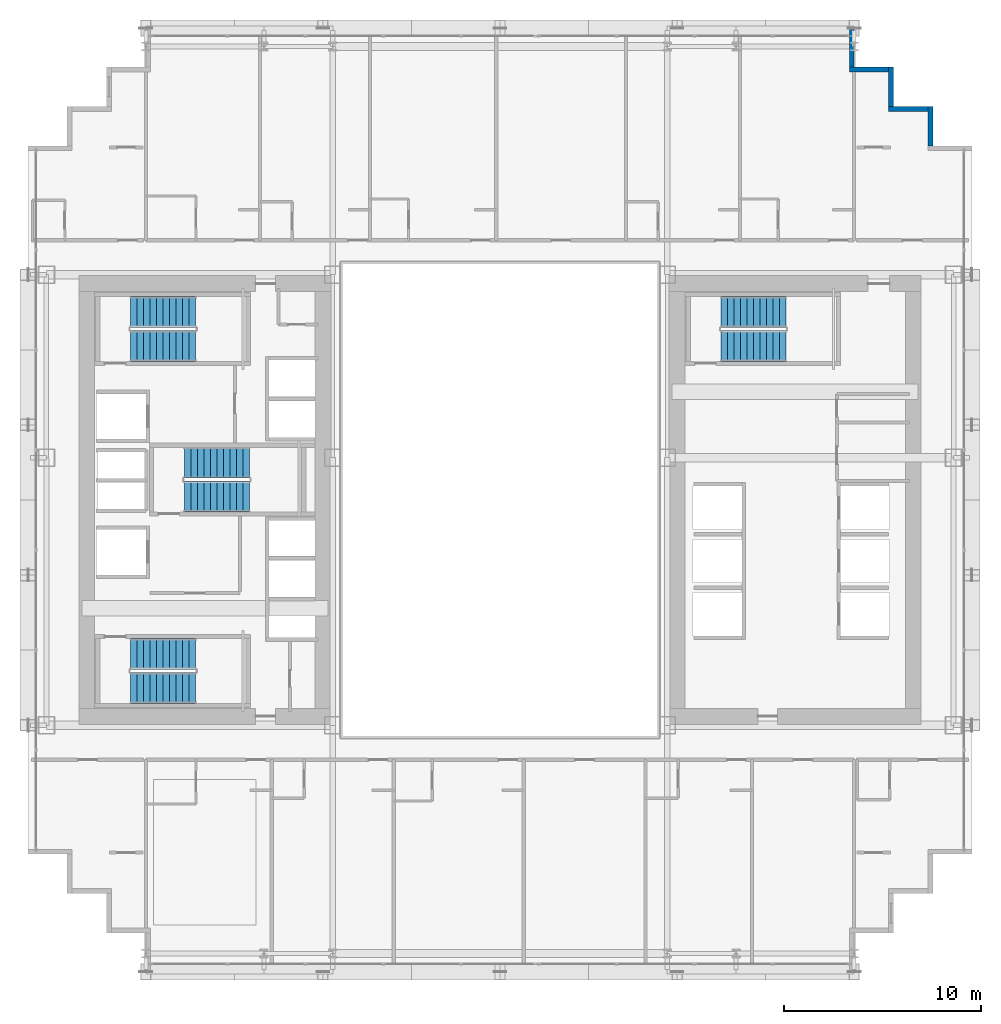
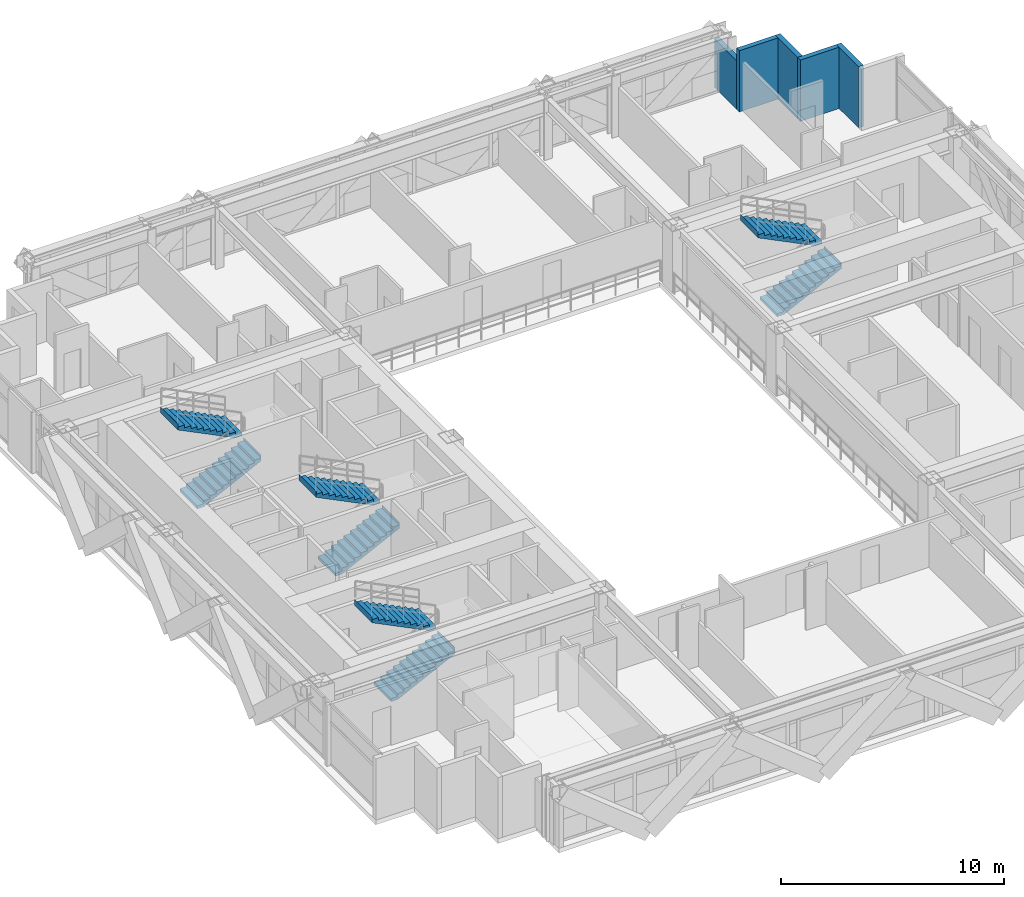
# One storey, part 34 of 38: 8 stair flights, 5 walls, 4 elements without a shape of their own.
"""IFC4 building model written with IfcOpenShell, lengths in metres."""

from ifc_helpers import new_model, si_unit, direction, frame, frame_2d, origin, place, context, subcontext, project, spatial, polyline, rectangle, outline, extrude, source, transform, mapped, material, layer, layer_set, type_object, element, aggregate, save


model = new_model("IFC4")

# Units and contexts
model_context = context("Model", 3, precision=1e-05, world=origin(), true_north=direction((0.0, 1.0)))
body_context = subcontext(model_context, "Body", "Model", "MODEL_VIEW")
ifc_project = project(units=[si_unit("LENGTHUNIT", "METRE"), si_unit("AREAUNIT", "SQUARE_METRE"), si_unit("VOLUMEUNIT", "CUBIC_METRE"), si_unit("PLANEANGLEUNIT", "RADIAN"), si_unit("MASSUNIT", "GRAM", prefix="KILO")], contexts=[model_context])

# Site, building, storey
site_placement = place(None, origin())
site = spatial("IfcSite", under=ifc_project, at=site_placement, CompositionType="ELEMENT")
building_placement = place(site_placement, origin())
building = spatial("IfcBuilding", under=site, at=building_placement, Name="Ocotamira Hotel", CompositionType="ELEMENT")
storey_placement = place(building_placement, frame((0.0, 0.0, 45.60009765625)))
storey = spatial("IfcBuildingStorey", under=building, at=storey_placement, Name="L10", CompositionType="ELEMENT", Elevation=45.60009765625)

# Walls
ifc_material_1 = material(Name="Precast concrete C45/55", Category="concrete")
ifc_layer = layer(ifc_material_1, 0.25)
ifc_layer_set = layer_set([ifc_layer], Name="Precast concrete C45/55")
wall_type = type_object("IfcWallType", Name="WL-EXT-SER-250", PredefinedType="SOLIDWALL", material=ifc_layer_set)
for number, where, z_axis, x_axis, name in (
    (1, (53.875, 44.0, 0.0), (0.0, 0.0, 1.0), (0.0, 1.0, 0.0), "L10 Serrated Corner Wall 08"),
    (2, (53.75, 45.875, 0.0), (0.0, 0.0, 1.0), (-1.0, 0.0, 0.0), "L10 Serrated Corner Wall 09"),
    (3, (51.875, 46.0, 0.0), (0.0, 0.0, 1.0), (0.0, 1.0, 0.0), "L10 Serrated Corner Wall 10"),
    (4, (51.75, 47.875, 0.0), (0.0, 0.0, 1.0), (-1.0, 0.0, 0.0), "L10 Serrated Corner Wall 11"),
):
    element("IfcWall", number, at=place(storey_placement, frame(where, z_axis=z_axis, x_axis=x_axis)), inside=storey, type_object=wall_type, Name=name, PredefinedType="SOLIDWALL", context=body_context, shape_type="SweptSolid", body=[
        extrude(rectangle(XDim=2.0, YDim=0.25, at=frame_2d((1.0, 0.0))), origin(), (0.0, 0.0, 1.0), 3.349853515625),
    ])
wall_placement = place(storey_placement, frame((49.875, 48.0, 0.0), z_axis=(0.0, 0.0, 1.0), x_axis=(0.0, 1.0, 0.0)))
element("IfcWall", 5, at=wall_placement, inside=storey, type_object=wall_type, Name="L10 Serrated Corner Wall 12", PredefinedType="SOLIDWALL", context=body_context, shape_type="SweptSolid", body=[
    extrude(rectangle(XDim=2.0, YDim=0.25, at=frame_2d((1.0, 0.0))), origin(), (0.0, 0.0, 1.0), 2.656982421875),
])

# Stair, stair flights
ifc_material_2 = material(Name="Concrete C40/50", Category="concrete")
stair_type = type_object("IfcStairType", Name="ST-CORE-1560", PredefinedType="HALF_TURN_STAIR", material=ifc_material_2)
stair_1_placement = place(storey_placement, origin())
stair_1 = element("IfcStair", 6, at=stair_1_placement, inside=storey, type_object=stair_type, Name="L10 Exit Stair ST-1", PredefinedType="HALF_TURN_STAIR")
stair_flight_type = type_object("IfcStairFlightType", Name="STF-CORE-1560", PredefinedType="STRAIGHT", material=ifc_material_2)
shared_shape = source(origin(), body_context, "Body", "SweptSolid", [
    extrude(outline(polyline([(-0.00390625, 0.0), (-0.00390625, 0.16357421875), (0.330078125, 0.16357421875), (0.330078125, 0.327392578125), (0.659912109375, 0.327392578125), (0.659912109375, 0.490966796875), (0.989990234375, 0.490966796875), (0.989990234375, 0.654541015625), (1.320068359375, 0.654541015625), (1.320068359375, 0.818115234375), (1.64990234375, 0.818115234375), (1.64990234375, 0.98193359375), (1.97998046875, 0.98193359375), (1.97998046875, 1.1455078125), (2.31005859375, 1.1455078125), (2.31005859375, 1.30908203125), (2.639892578125, 1.30908203125), (2.639892578125, 1.47265625), (2.969970703125, 1.47265625), (2.969970703125, 1.636474609375), (3.300048828125, 1.636474609375), (3.300048828125, 1.800048828125), (3.303955078125, 1.800048828125), (3.303955078125, 1.468994140625), (0.33740234375, 0.0), (-0.00390625, 0.0)])), frame((0.0, 0.780029296875, 0.0), z_axis=(0.0, -1.0, 0.0), x_axis=(1.0, 0.0, 0.0)), (0.0, 0.0, 1.0), 1.56005859375),
])
stair_flight_1_placement = place(storey_placement, frame((13.22998046875, 16.449951171875, 0.0), z_axis=(0.0, 0.0, 1.0), x_axis=(1.0, 0.0, 0.0)))
stair_flight_1 = element("IfcStairFlight", 7, at=stair_flight_1_placement, type_object=stair_flight_type, Name="ST-1 flight 1", NumberOfRisers=11, NumberOfTreads=10, PredefinedType="STRAIGHT", RiserHeight=0.163636364, TreadLength=0.33, context=body_context, shape_type="MappedRepresentation", body=[
    mapped(shared_shape, transform((0.0, 0.0, 0.0), scale=1.0)),
])
stair_flight_2_placement = place(storey_placement, frame((16.530029296875, 18.169921875, 1.7998046875), z_axis=(0.0, 0.0, 1.0), x_axis=(-1.0, 0.0, 0.0)))
stair_flight_2 = element("IfcStairFlight", 8, at=stair_flight_2_placement, type_object=stair_flight_type, Name="ST-1 flight 2", NumberOfRisers=11, NumberOfTreads=10, PredefinedType="STRAIGHT", RiserHeight=0.163636364, TreadLength=0.33, context=body_context, shape_type="MappedRepresentation", body=[
    mapped(shared_shape, transform((0.0, 0.0, 0.0), scale=1.0)),
])
aggregate(stair_1, [stair_flight_1, stair_flight_2])

stair_2_placement = place(storey_placement, origin())
stair_2 = element("IfcStair", 9, at=stair_2_placement, inside=storey, type_object=stair_type, Name="L10 Exit Stair ST-2", PredefinedType="HALF_TURN_STAIR")
stair_flight_3_placement = place(storey_placement, frame((13.22998046875, 33.830078125, 0.0), z_axis=(0.0, 0.0, 1.0), x_axis=(1.0, 0.0, 0.0)))
stair_flight_3 = element("IfcStairFlight", 10, at=stair_flight_3_placement, type_object=stair_flight_type, Name="ST-2 flight 1", NumberOfRisers=11, NumberOfTreads=10, PredefinedType="STRAIGHT", RiserHeight=0.163636364, TreadLength=0.33, context=body_context, shape_type="MappedRepresentation", body=[
    mapped(shared_shape, transform((0.0, 0.0, 0.0), scale=1.0)),
])
stair_flight_4_placement = place(storey_placement, frame((16.530029296875, 35.550048828125, 1.7998046875), z_axis=(0.0, 0.0, 1.0), x_axis=(-1.0, 0.0, 0.0)))
stair_flight_4 = element("IfcStairFlight", 11, at=stair_flight_4_placement, type_object=stair_flight_type, Name="ST-2 flight 2", NumberOfRisers=11, NumberOfTreads=10, PredefinedType="STRAIGHT", RiserHeight=0.163636364, TreadLength=0.33, context=body_context, shape_type="MappedRepresentation", body=[
    mapped(shared_shape, transform((0.0, 0.0, 0.0), scale=1.0)),
])
aggregate(stair_2, [stair_flight_3, stair_flight_4])

stair_3_placement = place(storey_placement, origin())
stair_3 = element("IfcStair", 12, at=stair_3_placement, inside=storey, type_object=stair_type, Name="L10 Exit Stair ST-3", PredefinedType="HALF_TURN_STAIR")
stair_flight_5_placement = place(storey_placement, frame((15.9599609375, 26.179931640625, 0.0), z_axis=(0.0, 0.0, 1.0), x_axis=(1.0, 0.0, 0.0)))
stair_flight_5 = element("IfcStairFlight", 13, at=stair_flight_5_placement, type_object=stair_flight_type, Name="ST-3 flight 1", NumberOfRisers=11, NumberOfTreads=10, PredefinedType="STRAIGHT", RiserHeight=0.163636364, TreadLength=0.33, context=body_context, shape_type="MappedRepresentation", body=[
    mapped(shared_shape, transform((0.0, 0.0, 0.0), scale=1.0)),
])
stair_flight_6_placement = place(storey_placement, frame((19.260009765625, 27.89990234375, 1.7998046875), z_axis=(0.0, 0.0, 1.0), x_axis=(-1.0, 0.0, 0.0)))
stair_flight_6 = element("IfcStairFlight", 14, at=stair_flight_6_placement, type_object=stair_flight_type, Name="ST-3 flight 2", NumberOfRisers=11, NumberOfTreads=10, PredefinedType="STRAIGHT", RiserHeight=0.163636364, TreadLength=0.33, context=body_context, shape_type="MappedRepresentation", body=[
    mapped(shared_shape, transform((0.0, 0.0, 0.0), scale=1.0)),
])
aggregate(stair_3, [stair_flight_5, stair_flight_6])

stair_4_placement = place(storey_placement, origin())
stair_4 = element("IfcStair", 15, at=stair_4_placement, inside=storey, type_object=stair_type, Name="L10 Exit Stair ST-4", PredefinedType="HALF_TURN_STAIR")
stair_flight_7_placement = place(storey_placement, frame((43.22998046875, 33.830078125, 0.0), z_axis=(0.0, 0.0, 1.0), x_axis=(1.0, 0.0, 0.0)))
stair_flight_7 = element("IfcStairFlight", 16, at=stair_flight_7_placement, type_object=stair_flight_type, Name="ST-4 flight 1", NumberOfRisers=11, NumberOfTreads=10, PredefinedType="STRAIGHT", RiserHeight=0.163636364, TreadLength=0.33, context=body_context, shape_type="MappedRepresentation", body=[
    mapped(shared_shape, transform((0.0, 0.0, 0.0), scale=1.0)),
])
stair_flight_8_placement = place(storey_placement, frame((46.530029296875, 35.550048828125, 1.7998046875), z_axis=(0.0, 0.0, 1.0), x_axis=(-1.0, 0.0, 0.0)))
stair_flight_8 = element("IfcStairFlight", 17, at=stair_flight_8_placement, type_object=stair_flight_type, Name="ST-4 flight 2", NumberOfRisers=11, NumberOfTreads=10, PredefinedType="STRAIGHT", RiserHeight=0.163636364, TreadLength=0.33, context=body_context, shape_type="MappedRepresentation", body=[
    mapped(shared_shape, transform((0.0, 0.0, 0.0), scale=1.0)),
])
aggregate(stair_4, [stair_flight_7, stair_flight_8])

save(model, "model.ifc")
